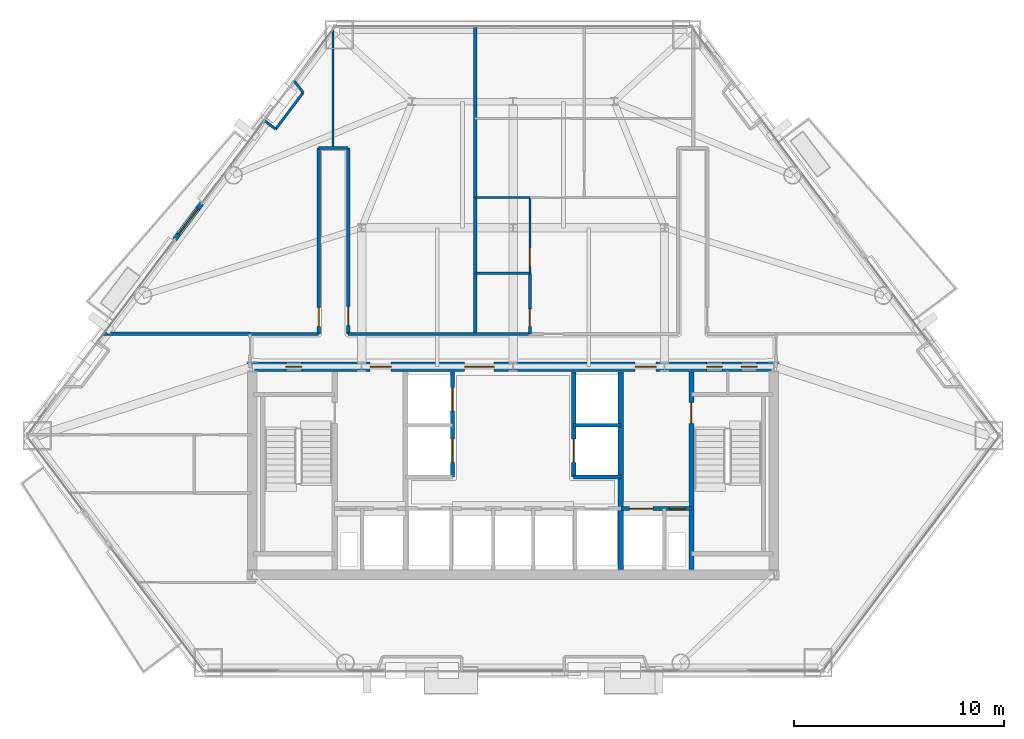
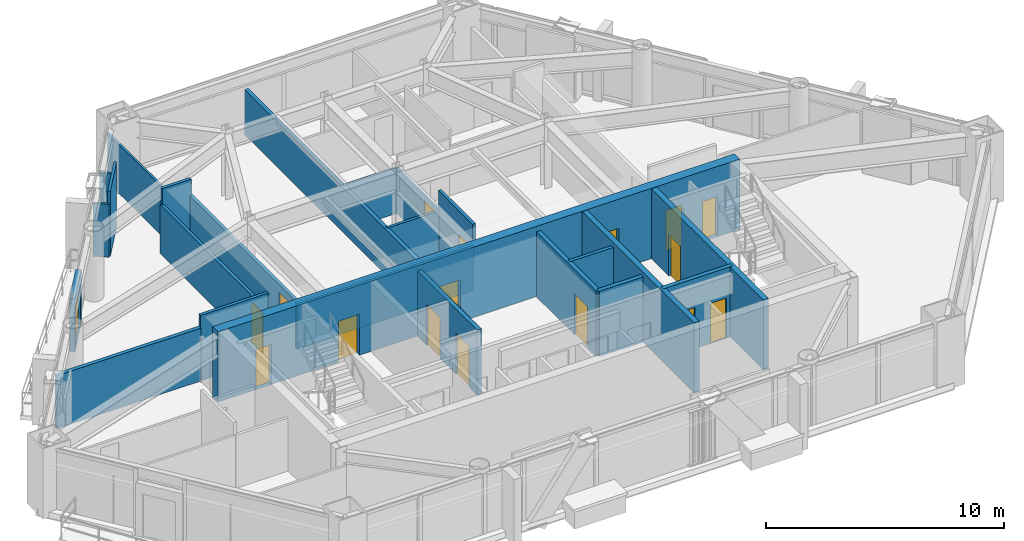
# One storey, part 7 of 10: 24 walls, 17 doors, 17 openings.
"""IFC4 building model written with IfcOpenShell, lengths in metres."""

from ifc_helpers import new_model, si_unit, direction, frame, frame_2d, origin, place, context, subcontext, project, spatial, rectangle, extrude, material, layer, layer_set, type_object, element, fill, save


model = new_model("IFC4")

# Units and contexts
model_context = context("Model", 3, precision=1e-05, world=origin(), true_north=direction((0.0, 1.0)))
body_context = subcontext(model_context, "Body", "Model", "MODEL_VIEW")
ifc_project = project(units=[si_unit("LENGTHUNIT", "METRE"), si_unit("AREAUNIT", "SQUARE_METRE"), si_unit("VOLUMEUNIT", "CUBIC_METRE"), si_unit("PLANEANGLEUNIT", "RADIAN"), si_unit("MASSUNIT", "GRAM", prefix="KILO")], contexts=[model_context])

# Site, building, storey
site_placement = place(None, origin())
site = spatial("IfcSite", under=ifc_project, at=site_placement, CompositionType="ELEMENT")
building_placement = place(site_placement, origin())
building = spatial("IfcBuilding", under=site, at=building_placement, Name="Talgorran Terracotta Tower", CompositionType="ELEMENT")
storey_placement = place(building_placement, frame((0.0, 0.0, 31.5)))
storey = spatial("IfcBuildingStorey", under=building, at=storey_placement, Name="L07", CompositionType="ELEMENT", Elevation=31.5)

# Wall, opening, door
ifc_material_1 = material(Name="Concrete C40/50", Category="concrete")
ifc_layer_1 = layer(ifc_material_1, 0.239990234375, Name="WT_BALCONY_SPAND")
ifc_layer_set_1 = layer_set([ifc_layer_1], Name="Concrete C40/50")
wall_type_1 = type_object("IfcWallType", Name="WT_BALCONY_SPAND", PredefinedType="STANDARD", material=ifc_layer_set_1)
wall_1_placement = place(storey_placement, frame((-14.799560546875, 3.560791015625, -0.014892578125), z_axis=(0.0, 0.0, 1.0), x_axis=(-0.601823875366, -0.798628839349, 0.0)))
wall_1 = element("IfcWall", 1, at=wall_1_placement, inside=storey, type_object=wall_type_1, Name="WL-L07-BALP-BAL-NW", PredefinedType="STANDARD", context=body_context, shape_type="SweptSolid", body=[
    extrude(rectangle(XDim=2.139892578125, YDim=0.239990234375, at=frame_2d((1.06982421875, 0.0))), origin(), (0.0, 0.0, 1.0), 2.728271484375),
])
opening_1_placement = place(wall_1_placement, frame((0.320068359375, 0.0, 0.014892578125)))
opening_1 = element("IfcOpeningElement", 2, at=opening_1_placement, cuts=wall_1, Name="Opening D-BAL-L07-2", PredefinedType="OPENING", context=body_context, shape_type="SweptSolid", body=[
    extrude(rectangle(XDim=1.506, YDim=2.203951171875, at=frame_2d((0.75, 1.10205078125))), frame((0.0, 0.1298828125, 0.0), z_axis=(0.0, -1.0, 0.0), x_axis=(1.0, 0.0, 0.0)), (0.0, 0.0, 1.0), 0.260009765625),
])
ifc_material_2 = material(Name="Thermally Broken Aluminium", Category="aluminium")
door_type_1 = type_object("IfcDoorType", Name="DT_BALC_1500", OperationType="SLIDING_TO_RIGHT", PredefinedType="DOOR", material=ifc_material_2)
door_1_placement = place(opening_1_placement, origin())
door_1 = element("IfcDoor", 3, at=door_1_placement, inside=storey, type_object=door_type_1, Name="DR-L07-BAL-BAL-NW", OperationType="SLIDING_TO_RIGHT", OverallHeight=2.199951171875, OverallWidth=1.5, PredefinedType="DOOR", context=body_context, shape_type="SweptSolid", body=[
    extrude(rectangle(XDim=1.5, YDim=2.199951171875, at=frame_2d((0.75, 1.10009765625))), frame((0.0, 0.02490234375, 0.0), z_axis=(0.0, -1.0, 0.0), x_axis=(1.0, 0.0, 0.0)), (0.0, 0.0, 1.0), 0.050048828125),
])
fill(opening_1, door_1)

# Wall, openings, doors
ifc_material_3 = material(Name="Concrete C50/60", Category="concrete")
ifc_layer_2 = layer(ifc_material_3, 0.199951171875, Name="WT_CORE_200")
ifc_layer_set_2 = layer_set([ifc_layer_2], Name="Concrete C50/60")
wall_type_2 = type_object("IfcWallType", Name="WT_CORE_200", PredefinedType="SOLIDWALL", material=ifc_layer_set_2)
wall_2_placement = place(storey_placement, frame((5.1201171875, -10.949951171875, 0.0), z_axis=(0.0, 0.0, 1.0), x_axis=(1.0, 0.0, 0.0)))
wall_2 = element("IfcWall", 4, at=wall_2_placement, inside=storey, type_object=wall_type_2, Name="WL-L07-CW-H-SBE", PredefinedType="SOLIDWALL", context=body_context, shape_type="SweptSolid", body=[
    extrude(rectangle(XDim=3.35986328125, YDim=0.199951171875, at=frame_2d((1.679931640625, 0.0))), origin(), (0.0, 0.0, 1.0), 3.60009765625),
])
opening_2_placement = place(wall_2_placement, frame((0.419921875, 0.0, 0.0)))
opening_2 = element("IfcOpeningElement", 5, at=opening_2_placement, cuts=wall_2, Name="Opening LD-FFL2", PredefinedType="OPENING", context=body_context, shape_type="SweptSolid", body=[
    extrude(rectangle(XDim=1.10609765625, YDim=2.10409765625, at=frame_2d((0.550048828125, 1.052001953125))), frame((0.0, 0.10986328125, 0.0), z_axis=(0.0, -1.0, 0.0), x_axis=(1.0, 0.0, 0.0)), (0.0, 0.0, 1.0), 0.219970703125),
])
opening_3_placement = place(wall_2_placement, frame((2.300048828125, 0.0, 0.0)))
opening_3 = element("IfcOpeningElement", 6, at=opening_3_placement, cuts=wall_2, Name="Opening DR-RSE", PredefinedType="OPENING", context=body_context, shape_type="SweptSolid", body=[
    extrude(rectangle(XDim=0.756, YDim=2.054048828125, at=frame_2d((0.375, 1.027099609375))), frame((0.0, 0.10986328125, 0.0), z_axis=(0.0, -1.0, 0.0), x_axis=(1.0, 0.0, 0.0)), (0.0, 0.0, 1.0), 0.219970703125),
])
ifc_material_4 = material(Name="Brushed Stainless Steel Grade 304", Category="steel")
door_type_2 = type_object("IfcDoorType", Name="DT_LIFT_LD1100", OperationType="DOUBLE_DOOR_SLIDING", PredefinedType="DOOR", material=ifc_material_4)
door_2_placement = place(opening_2_placement, origin())
door_2 = element("IfcDoor", 7, at=door_2_placement, inside=storey, type_object=door_type_2, Name="L07 Lift Landing Door LD-FFL2", OperationType="DOUBLE_DOOR_SLIDING", OverallHeight=2.10009765625, OverallWidth=1.10009765625, PredefinedType="DOOR", context=body_context, shape_type="SweptSolid", body=[
    extrude(rectangle(XDim=1.10009765625, YDim=2.10009765625, at=frame_2d((0.550048828125, 1.050048828125))), frame((0.0, 0.02490234375, 0.0), z_axis=(0.0, -1.0, 0.0), x_axis=(1.0, 0.0, 0.0)), (0.0, 0.0, 1.0), 0.050048828125),
])
fill(opening_2, door_2)
ifc_material_5 = material(Name="Fire-Rated Pressed Steel", Category="steel")
door_type_3 = type_object("IfcDoorType", Name="DT_RISER_750", OperationType="NOTDEFINED", PredefinedType="DOOR", material=ifc_material_5)
door_3_placement = place(opening_3_placement, origin())
door_3 = element("IfcDoor", 8, at=door_3_placement, inside=storey, type_object=door_type_3, Name="DR-RSE", OperationType="SINGLE_SWING_RIGHT", OverallHeight=2.050048828125, OverallWidth=0.75, PredefinedType="DOOR", context=body_context, shape_type="SweptSolid", body=[
    extrude(rectangle(XDim=0.75, YDim=2.050048828125, at=frame_2d((0.375, 1.02490234375))), frame((0.0, 0.02490234375, 0.0), z_axis=(0.0, -1.0, 0.0), x_axis=(1.0, 0.0, 0.0)), (0.0, 0.0, 1.0), 0.050048828125),
])
fill(opening_3, door_3)

wall_3_placement = place(storey_placement, frame((-2.8798828125, -9.449951171875, 0.0), z_axis=(0.0, 0.0, 1.0), x_axis=(0.0, 1.0, 0.0)))
wall_3 = element("IfcWall", 9, at=wall_3_placement, inside=storey, type_object=wall_type_2, Name="WL-L07-CW-V-W3", PredefinedType="SOLIDWALL", context=body_context, shape_type="SweptSolid", body=[
    extrude(rectangle(XDim=5.0, YDim=0.199951171875, at=frame_2d((2.5, 0.0))), origin(), (0.0, 0.0, 1.0), 3.35009765625),
])
opening_4_placement = place(wall_3_placement, frame((0.699951171875, 0.0, 0.0)))
opening_4 = element("IfcOpeningElement", 10, at=opening_4_placement, cuts=wall_3, Name="Opening LD-PLL1", PredefinedType="OPENING", context=body_context, shape_type="SweptSolid", body=[
    extrude(rectangle(XDim=1.10609765625, YDim=2.10409765625, at=frame_2d((0.550048828125, 1.052001953125))), frame((0.0, 0.10986328125, 0.0), z_axis=(0.0, -1.0, 0.0), x_axis=(1.0, 0.0, 0.0)), (0.0, 0.0, 1.0), 0.219970703125),
])
opening_5_placement = place(wall_3_placement, frame((3.14990234375, 0.0, 0.0)))
opening_5 = element("IfcOpeningElement", 11, at=opening_5_placement, cuts=wall_3, Name="Opening LD-PLL2", PredefinedType="OPENING", context=body_context, shape_type="SweptSolid", body=[
    extrude(rectangle(XDim=1.10609765625, YDim=2.10409765625, at=frame_2d((0.550048828125, 1.052001953125))), frame((0.0, 0.10986328125, 0.0), z_axis=(0.0, -1.0, 0.0), x_axis=(1.0, 0.0, 0.0)), (0.0, 0.0, 1.0), 0.219970703125),
])
door_4_placement = place(opening_4_placement, origin())
door_4 = element("IfcDoor", 12, at=door_4_placement, inside=storey, type_object=door_type_2, Name="L07 Lift Landing Door LD-PLL1", OperationType="DOUBLE_DOOR_SLIDING", OverallHeight=2.10009765625, OverallWidth=1.10009765625, PredefinedType="DOOR", context=body_context, shape_type="SweptSolid", body=[
    extrude(rectangle(XDim=1.10009765625, YDim=2.10009765625, at=frame_2d((0.550048828125, 1.050048828125))), frame((0.0, 0.02490234375, 0.0), z_axis=(0.0, -1.0, 0.0), x_axis=(1.0, 0.0, 0.0)), (0.0, 0.0, 1.0), 0.050048828125),
])
fill(opening_4, door_4)
door_5_placement = place(opening_5_placement, origin())
door_5 = element("IfcDoor", 13, at=door_5_placement, inside=storey, type_object=door_type_2, Name="L07 Lift Landing Door LD-PLL2", OperationType="DOUBLE_DOOR_SLIDING", OverallHeight=2.10009765625, OverallWidth=1.10009765625, PredefinedType="DOOR", context=body_context, shape_type="SweptSolid", body=[
    extrude(rectangle(XDim=1.10009765625, YDim=2.10009765625, at=frame_2d((0.550048828125, 1.050048828125))), frame((0.0, 0.02490234375, 0.0), z_axis=(0.0, -1.0, 0.0), x_axis=(1.0, 0.0, 0.0)), (0.0, 0.0, 1.0), 0.050048828125),
])
fill(opening_5, door_5)

# Wall, opening, door
wall_4_placement = place(storey_placement, frame((2.8798828125, -9.449951171875, 0.0), z_axis=(0.0, 0.0, 1.0), x_axis=(0.0, 1.0, 0.0)))
wall_4 = element("IfcWall", 14, at=wall_4_placement, inside=storey, type_object=wall_type_2, Name="WL-L07-CW-V-E3", PredefinedType="SOLIDWALL", context=body_context, shape_type="SweptSolid", body=[
    extrude(rectangle(XDim=5.0, YDim=0.199951171875, at=frame_2d((2.5, 0.0))), origin(), (0.0, 0.0, 1.0), 3.35009765625),
])
opening_6_placement = place(wall_4_placement, frame((0.699951171875, 0.0, 0.0)))
opening_6 = element("IfcOpeningElement", 15, at=opening_6_placement, cuts=wall_4, Name="Opening LD-PLM1", PredefinedType="OPENING", context=body_context, shape_type="SweptSolid", body=[
    extrude(rectangle(XDim=1.10609765625, YDim=2.10409765625, at=frame_2d((0.550048828125, 1.052001953125))), frame((0.0, 0.10986328125, 0.0), z_axis=(0.0, -1.0, 0.0), x_axis=(1.0, 0.0, 0.0)), (0.0, 0.0, 1.0), 0.219970703125),
])
door_6_placement = place(opening_6_placement, origin())
door_6 = element("IfcDoor", 16, at=door_6_placement, inside=storey, type_object=door_type_2, Name="L07 Lift Landing Door LD-PLM1", OperationType="DOUBLE_DOOR_SLIDING", OverallHeight=2.10009765625, OverallWidth=1.10009765625, PredefinedType="DOOR", context=body_context, shape_type="SweptSolid", body=[
    extrude(rectangle(XDim=1.10009765625, YDim=2.10009765625, at=frame_2d((0.550048828125, 1.050048828125))), frame((0.0, 0.02490234375, 0.0), z_axis=(0.0, -1.0, 0.0), x_axis=(1.0, 0.0, 0.0)), (0.0, 0.0, 1.0), 0.050048828125),
])
fill(opening_6, door_6)

# Wall
wall_5_placement = place(storey_placement, frame((2.8798828125, -9.449951171875, 0.0), z_axis=(0.0, 0.0, 1.0), x_axis=(1.0, 0.0, 0.0)))
element("IfcWall", 17, at=wall_5_placement, inside=storey, type_object=wall_type_2, Name="WL-L07-CW-H-E4", PredefinedType="SOLIDWALL", context=body_context, shape_type="SweptSolid", body=[
    extrude(rectangle(XDim=2.240234375, YDim=0.199951171875, at=frame_2d((1.1201171875, 0.0))), origin(), (0.0, 0.0, 1.0), 3.35009765625),
])

# Wall, opening, door
ifc_layer_3 = layer(ifc_material_3, 0.25, Name="WT_CORE_250")
ifc_layer_set_3 = layer_set([ifc_layer_3], Name="Concrete C50/60")
wall_type_3 = type_object("IfcWallType", Name="WT_CORE_250", PredefinedType="SHEAR", material=ifc_layer_set_3)
wall_6_placement = place(storey_placement, frame((8.47998046875, -13.85009765625, 0.0), z_axis=(0.0, 0.0, 1.0), x_axis=(0.0, 1.0, 0.0)))
wall_6 = element("IfcWall", 18, at=wall_6_placement, inside=storey, type_object=wall_type_3, Name="WL-L07-CW-V-E1", PredefinedType="SHEAR", context=body_context, shape_type="SweptSolid", body=[
    extrude(rectangle(XDim=9.400146484375, YDim=0.25, at=frame_2d((4.7001953125, 0.0))), origin(), (0.0, 0.0, 1.0), 3.60009765625),
])
opening_7_placement = place(wall_6_placement, frame((6.949951171875, 0.0, 0.0)))
opening_7 = element("IfcOpeningElement", 19, at=opening_7_placement, cuts=wall_6, Name="Opening DR-ST02", PredefinedType="OPENING", context=body_context, shape_type="SweptSolid", body=[
    extrude(rectangle(XDim=1.006, YDim=2.10409765625, at=frame_2d((0.5, 1.052001953125))), frame((0.0, 0.135009765625, 0.0), z_axis=(0.0, -1.0, 0.0), x_axis=(1.0, 0.0, 0.0)), (0.0, 0.0, 1.0), 0.27001953125),
])
door_type_4 = type_object("IfcDoorType", Name="DT_FIRE_1000", OperationType="NOTDEFINED", PredefinedType="DOOR", material=ifc_material_5)
door_7_placement = place(opening_7_placement, origin())
door_7 = element("IfcDoor", 20, at=door_7_placement, inside=storey, type_object=door_type_4, Name="DR-ST02", OperationType="SINGLE_SWING_RIGHT", OverallHeight=2.10009765625, OverallWidth=1.0, PredefinedType="DOOR", context=body_context, shape_type="SweptSolid", body=[
    extrude(rectangle(XDim=1.0, YDim=2.10009765625, at=frame_2d((0.5, 1.050048828125))), frame((0.0, 0.02490234375, 0.0), z_axis=(0.0, -1.0, 0.0), x_axis=(1.0, 0.0, 0.0)), (0.0, 0.0, 1.0), 0.050048828125),
])
fill(opening_7, door_7)

# Wall
wall_7_placement = place(storey_placement, frame((5.1201171875, -13.85009765625, 0.0), z_axis=(0.0, 0.0, 1.0), x_axis=(0.0, 1.0, 0.0)))
element("IfcWall", 21, at=wall_7_placement, inside=storey, type_object=wall_type_3, Name="WL-L07-CW-V-E2", PredefinedType="SHEAR", context=body_context, shape_type="SweptSolid", body=[
    extrude(rectangle(XDim=9.400146484375, YDim=0.25, at=frame_2d((4.7001953125, 0.0))), origin(), (0.0, 0.0, 1.0), 3.60009765625),
])

# Wall, openings, doors
ifc_material_6 = material(Name="Concrete C65/80", Category="concrete")
ifc_layer_4 = layer(ifc_material_6, 0.449951171875, Name="WT_CORE_EXT")
ifc_layer_set_4 = layer_set([ifc_layer_4], Name="Concrete C65/80")
wall_type_4 = type_object("IfcWallType", Name="WT_CORE_EXT", PredefinedType="SHEAR", material=ifc_layer_set_4)
wall_8_placement = place(storey_placement, frame((-12.64990234375, -4.199951171875, 0.0), z_axis=(0.0, 0.0, 1.0), x_axis=(1.0, 0.0, 0.0)))
wall_8 = element("IfcWall", 22, at=wall_8_placement, inside=storey, type_object=wall_type_4, Name="WL-L07-CW-OUT-N", PredefinedType="SHEAR", context=body_context, shape_type="SweptSolid", body=[
    extrude(rectangle(XDim=25.2998046875, YDim=0.449951171875, at=frame_2d((12.64990234375, 0.0))), origin(), (0.0, 0.0, 1.0), 3.60009765625),
])
opening_8_placement = place(wall_8_placement, frame((1.85009765625, 0.0, 0.0)))
opening_8 = element("IfcOpeningElement", 23, at=opening_8_placement, cuts=wall_8, Name="Opening DR-CSN1", PredefinedType="OPENING", context=body_context, shape_type="SweptSolid", body=[
    extrude(rectangle(XDim=0.756, YDim=2.054048828125, at=frame_2d((0.375, 1.027099609375))), frame((0.0, 0.23486328125, 0.0), z_axis=(0.0, -1.0, 0.0), x_axis=(1.0, 0.0, 0.0)), (0.0, 0.0, 1.0), 0.469970703125),
])
opening_9_placement = place(wall_8_placement, frame((21.85009765625, 0.0, 0.0)))
opening_9 = element("IfcOpeningElement", 24, at=opening_9_placement, cuts=wall_8, Name="Opening DR-CSN2", PredefinedType="OPENING", context=body_context, shape_type="SweptSolid", body=[
    extrude(rectangle(XDim=0.756, YDim=2.054048828125, at=frame_2d((0.375, 1.027099609375))), frame((0.0, 0.23486328125, 0.0), z_axis=(0.0, -1.0, 0.0), x_axis=(1.0, 0.0, 0.0)), (0.0, 0.0, 1.0), 0.469970703125),
])
opening_10_placement = place(wall_8_placement, frame((23.5, 0.0, 0.0)))
opening_10 = element("IfcOpeningElement", 25, at=opening_10_placement, cuts=wall_8, Name="Opening DR-CSN3", PredefinedType="OPENING", context=body_context, shape_type="SweptSolid", body=[
    extrude(rectangle(XDim=0.756, YDim=2.054048828125, at=frame_2d((0.375, 1.027099609375))), frame((0.0, 0.23486328125, 0.0), z_axis=(0.0, -1.0, 0.0), x_axis=(1.0, 0.0, 0.0)), (0.0, 0.0, 1.0), 0.469970703125),
])
opening_11_placement = place(wall_8_placement, frame((5.85009765625, 0.0, 0.0)))
opening_11 = element("IfcOpeningElement", 26, at=opening_11_placement, cuts=wall_8, Name="Opening DR-FFLW-N", PredefinedType="OPENING", context=body_context, shape_type="SweptSolid", body=[
    extrude(rectangle(XDim=1.006, YDim=2.10409765625, at=frame_2d((0.5, 1.052001953125))), frame((0.0, 0.23486328125, 0.0), z_axis=(0.0, -1.0, 0.0), x_axis=(1.0, 0.0, 0.0)), (0.0, 0.0, 1.0), 0.469970703125),
])
opening_12_placement = place(wall_8_placement, frame((10.35009765625, 0.0, 0.0)))
opening_12 = element("IfcOpeningElement", 27, at=opening_12_placement, cuts=wall_8, Name="Opening DR-PLL-N", PredefinedType="OPENING", context=body_context, shape_type="SweptSolid", body=[
    extrude(rectangle(XDim=1.40590234375, YDim=2.15390234375, at=frame_2d((0.699951171875, 1.076904296875))), frame((0.0, 0.23486328125, 0.0), z_axis=(0.0, -1.0, 0.0), x_axis=(1.0, 0.0, 0.0)), (0.0, 0.0, 1.0), 0.469970703125),
])
opening_13_placement = place(wall_8_placement, frame((18.449951171875, 0.0, 0.0)))
opening_13 = element("IfcOpeningElement", 28, at=opening_13_placement, cuts=wall_8, Name="Opening DR-FFLE-N", PredefinedType="OPENING", context=body_context, shape_type="SweptSolid", body=[
    extrude(rectangle(XDim=1.006, YDim=2.10409765625, at=frame_2d((0.5, 1.052001953125))), frame((0.0, 0.23486328125, 0.0), z_axis=(0.0, -1.0, 0.0), x_axis=(1.0, 0.0, 0.0)), (0.0, 0.0, 1.0), 0.469970703125),
])
ifc_material_7 = material(Name="Acoustic Glazed Timber", Category="wood")
door_type_5 = type_object("IfcDoorType", Name="DT_DOUBLE_1400", OperationType="DOUBLE_DOOR_SINGLE_SWING", PredefinedType="DOOR", material=ifc_material_7)
door_8_placement = place(opening_12_placement, origin())
door_8 = element("IfcDoor", 29, at=door_8_placement, inside=storey, type_object=door_type_5, Name="DR-PLL-N", OperationType="DOUBLE_DOOR_SINGLE_SWING", OverallHeight=2.14990234375, OverallWidth=1.39990234375, PredefinedType="DOOR", context=body_context, shape_type="SweptSolid", body=[
    extrude(rectangle(XDim=1.39990234375, YDim=2.14990234375, at=frame_2d((0.699951171875, 1.074951171875))), frame((0.0, 0.02490234375, 0.0), z_axis=(0.0, -1.0, 0.0), x_axis=(1.0, 0.0, 0.0)), (0.0, 0.0, 1.0), 0.050048828125),
])
fill(opening_12, door_8)
door_9_placement = place(opening_11_placement, origin())
door_9 = element("IfcDoor", 30, at=door_9_placement, inside=storey, type_object=door_type_4, Name="DR-FFLW-N", OperationType="SINGLE_SWING_LEFT", OverallHeight=2.10009765625, OverallWidth=1.0, PredefinedType="DOOR", context=body_context, shape_type="SweptSolid", body=[
    extrude(rectangle(XDim=1.0, YDim=2.10009765625, at=frame_2d((0.5, 1.050048828125))), frame((0.0, 0.02490234375, 0.0), z_axis=(0.0, -1.0, 0.0), x_axis=(1.0, 0.0, 0.0)), (0.0, 0.0, 1.0), 0.050048828125),
])
fill(opening_11, door_9)
door_10_placement = place(opening_13_placement, origin())
door_10 = element("IfcDoor", 31, at=door_10_placement, inside=storey, type_object=door_type_4, Name="DR-FFLE-N", OperationType="SINGLE_SWING_RIGHT", OverallHeight=2.10009765625, OverallWidth=1.0, PredefinedType="DOOR", context=body_context, shape_type="SweptSolid", body=[
    extrude(rectangle(XDim=1.0, YDim=2.10009765625, at=frame_2d((0.5, 1.050048828125))), frame((0.0, 0.02490234375, 0.0), z_axis=(0.0, -1.0, 0.0), x_axis=(1.0, 0.0, 0.0)), (0.0, 0.0, 1.0), 0.050048828125),
])
fill(opening_13, door_10)
door_11_placement = place(opening_8_placement, origin())
door_11 = element("IfcDoor", 32, at=door_11_placement, inside=storey, type_object=door_type_3, Name="DR-CSN1", OperationType="SINGLE_SWING_LEFT", OverallHeight=2.050048828125, OverallWidth=0.75, PredefinedType="DOOR", context=body_context, shape_type="SweptSolid", body=[
    extrude(rectangle(XDim=0.75, YDim=2.050048828125, at=frame_2d((0.375, 1.02490234375))), frame((0.0, 0.02490234375, 0.0), z_axis=(0.0, -1.0, 0.0), x_axis=(1.0, 0.0, 0.0)), (0.0, 0.0, 1.0), 0.050048828125),
])
fill(opening_8, door_11)
door_12_placement = place(opening_9_placement, origin())
door_12 = element("IfcDoor", 33, at=door_12_placement, inside=storey, type_object=door_type_3, Name="DR-CSN2", OperationType="SINGLE_SWING_LEFT", OverallHeight=2.050048828125, OverallWidth=0.75, PredefinedType="DOOR", context=body_context, shape_type="SweptSolid", body=[
    extrude(rectangle(XDim=0.75, YDim=2.050048828125, at=frame_2d((0.375, 1.02490234375))), frame((0.0, 0.02490234375, 0.0), z_axis=(0.0, -1.0, 0.0), x_axis=(1.0, 0.0, 0.0)), (0.0, 0.0, 1.0), 0.050048828125),
])
fill(opening_9, door_12)
door_13_placement = place(opening_10_placement, origin())
door_13 = element("IfcDoor", 34, at=door_13_placement, inside=storey, type_object=door_type_3, Name="DR-CSN3", OperationType="SINGLE_SWING_RIGHT", OverallHeight=2.050048828125, OverallWidth=0.75, PredefinedType="DOOR", context=body_context, shape_type="SweptSolid", body=[
    extrude(rectangle(XDim=0.75, YDim=2.050048828125, at=frame_2d((0.375, 1.02490234375))), frame((0.0, 0.02490234375, 0.0), z_axis=(0.0, -1.0, 0.0), x_axis=(1.0, 0.0, 0.0)), (0.0, 0.0, 1.0), 0.050048828125),
])
fill(opening_10, door_13)

# Wall, opening, door
ifc_material_8 = material(Name="Fire-Rated Steel Stud Plasterboard", Category="steel")
ifc_layer_5 = layer(ifc_material_8, 0.14990234375, Name="WT_FIRE_150")
ifc_layer_set_5 = layer_set([ifc_layer_5], Name="Fire-Rated Steel Stud Plasterboard")
wall_type_5 = type_object("IfcWallType", Name="WT_FIRE_150", PredefinedType="PARTITIONING", material=ifc_layer_set_5)
wall_9_placement = place(storey_placement, frame((-9.239990234375, -2.639892578125, 0.0), z_axis=(0.0, 0.0, 1.0), x_axis=(0.0, 1.0, 0.0)))
wall_9 = element("IfcWall", 35, at=wall_9_placement, inside=storey, type_object=wall_type_5, Name="WL-L07-W-L07-R04", PredefinedType="PARTITIONING", context=body_context, shape_type="SweptSolid", body=[
    extrude(rectangle(XDim=8.83984375, YDim=0.14990234375, at=frame_2d((4.419921875, 0.0))), origin(), (0.0, 0.0, 1.0), 2.509033203125),
])
opening_14_placement = place(wall_9_placement, frame((0.359375, 0.0, 0.0)))
opening_14 = element("IfcOpeningElement", 36, at=opening_14_placement, cuts=wall_9, Name="Opening DR-L07-R06", PredefinedType="OPENING", context=body_context, shape_type="SweptSolid", body=[
    extrude(rectangle(XDim=0.90590234375, YDim=2.10409765625, at=frame_2d((0.449951171875, 1.052001953125))), frame((0.0, 0.0849609375, 0.0), z_axis=(0.0, -1.0, 0.0), x_axis=(1.0, 0.0, 0.0)), (0.0, 0.0, 1.0), 0.169921875),
])
ifc_material_9 = material(Name="Fire-Rated Timber Core", Category="wood")
door_type_6 = type_object("IfcDoorType", Name="DT_FIRE_900", OperationType="NOTDEFINED", PredefinedType="DOOR", material=ifc_material_9)
door_14_placement = place(opening_14_placement, origin())
door_14 = element("IfcDoor", 37, at=door_14_placement, inside=storey, type_object=door_type_6, Name="DR-L07-R06", OperationType="SINGLE_SWING_RIGHT", OverallHeight=2.10009765625, OverallWidth=0.89990234375, PredefinedType="DOOR", context=body_context, shape_type="SweptSolid", body=[
    extrude(rectangle(XDim=0.89990234375, YDim=2.10009765625, at=frame_2d((0.449951171875, 1.050048828125))), frame((0.0, 0.02490234375, 0.0), z_axis=(0.0, -1.0, 0.0), x_axis=(1.0, 0.0, 0.0)), (0.0, 0.0, 1.0), 0.050048828125),
])
fill(opening_14, door_14)

wall_10_placement = place(storey_placement, frame((-7.840087890625, -2.639892578125, 0.0), z_axis=(0.0, 0.0, 1.0), x_axis=(0.0, 1.0, 0.0)))
wall_10 = element("IfcWall", 38, at=wall_10_placement, inside=storey, type_object=wall_type_5, Name="WL-L07-W-L07-R07", PredefinedType="PARTITIONING", context=body_context, shape_type="SweptSolid", body=[
    extrude(rectangle(XDim=8.83984375, YDim=0.14990234375, at=frame_2d((4.419921875, 0.0))), origin(), (0.0, 0.0, 1.0), 2.509033203125),
])
opening_15_placement = place(wall_10_placement, frame((0.3994140625, 0.0, 0.0)))
opening_15 = element("IfcOpeningElement", 39, at=opening_15_placement, cuts=wall_10, Name="Opening DR-L07-R07", PredefinedType="OPENING", context=body_context, shape_type="SweptSolid", body=[
    extrude(rectangle(XDim=0.90590234375, YDim=2.10409765625, at=frame_2d((0.449951171875, 1.052001953125))), frame((0.0, 0.0849609375, 0.0), z_axis=(0.0, -1.0, 0.0), x_axis=(1.0, 0.0, 0.0)), (0.0, 0.0, 1.0), 0.169921875),
])
door_15_placement = place(opening_15_placement, origin())
door_15 = element("IfcDoor", 40, at=door_15_placement, inside=storey, type_object=door_type_6, Name="DR-L07-R07", OperationType="SINGLE_SWING_LEFT", OverallHeight=2.10009765625, OverallWidth=0.89990234375, PredefinedType="DOOR", context=body_context, shape_type="SweptSolid", body=[
    extrude(rectangle(XDim=0.89990234375, YDim=2.10009765625, at=frame_2d((0.449951171875, 1.050048828125))), frame((0.0, 0.02490234375, 0.0), z_axis=(0.0, -1.0, 0.0), x_axis=(1.0, 0.0, 0.0)), (0.0, 0.0, 1.0), 0.050048828125),
])
fill(opening_15, door_15)

# Walls
wall_11_placement = place(storey_placement, frame((-7.840087890625, -2.639892578125, 0.0), z_axis=(0.0, 0.0, 1.0), x_axis=(1.0, 0.0, 0.0)))
element("IfcWall", 41, at=wall_11_placement, inside=storey, type_object=wall_type_5, Name="WL-L07-W-L07-R08", PredefinedType="PARTITIONING", context=body_context, shape_type="SweptSolid", body=[
    extrude(rectangle(XDim=8.578125, YDim=0.14990234375, at=frame_2d((4.2890625, 0.0))), origin(), (0.0, 0.0, 1.0), 2.324951171875),
])
wall_12_placement = place(storey_placement, frame((-12.5, -2.639892578125, 0.0), z_axis=(0.0, 0.0, 1.0), x_axis=(1.0, 0.0, 0.0)))
element("IfcWall", 42, at=wall_12_placement, inside=storey, type_object=wall_type_5, Name="WL-L07-W-L07-R03", PredefinedType="PARTITIONING", context=body_context, shape_type="SweptSolid", body=[
    extrude(rectangle(XDim=3.260009765625, YDim=0.14990234375, at=frame_2d((1.6298828125, 0.0))), origin(), (0.0, 0.0, 1.0), 3.35009765625),
])
wall_13_placement = place(storey_placement, frame((-9.239990234375, 6.199951171875, 0.0), z_axis=(0.0, 0.0, 1.0), x_axis=(1.0, 0.0, 0.0)))
element("IfcWall", 43, at=wall_13_placement, inside=storey, type_object=wall_type_5, Name="WL-L07-W-L07-R06", PredefinedType="PARTITIONING", context=body_context, shape_type="SweptSolid", body=[
    extrude(rectangle(XDim=1.39990234375, YDim=0.14990234375, at=frame_2d((0.699951171875, 0.0))), origin(), (0.0, 0.0, 1.0), 3.35009765625),
])
ifc_material_10 = material(Name="Acoustic Stud and Plasterboard")
ifc_layer_6 = layer(ifc_material_10, 0.179931640625, Name="WT_PARTY_200")
ifc_layer_set_6 = layer_set([ifc_layer_6], Name="Acoustic Stud and Plasterboard")
wall_type_6 = type_object("IfcWallType", Name="WT_PARTY_200", PredefinedType="PARTITIONING", material=ifc_layer_set_6)
wall_14_placement = place(storey_placement, frame((-19.472412109375, -2.639892578125, 0.0), z_axis=(0.0, 0.0, 1.0), x_axis=(1.0, 0.0, 0.0)))
element("IfcWall", 44, at=wall_14_placement, inside=storey, type_object=wall_type_6, Name="WL-L07-W-L07-R19", PredefinedType="PARTITIONING", context=body_context, shape_type="SweptSolid", body=[
    extrude(rectangle(XDim=6.972412109375, YDim=0.179931640625, at=frame_2d((3.486328125, 0.0))), origin(), (0.0, 0.0, 1.0), 2.71337890625),
])
wall_15_placement = place(storey_placement, frame((-1.800048828125, -2.639892578125, 0.0), z_axis=(0.0, 0.0, 1.0), x_axis=(0.0, 1.0, 0.0)))
element("IfcWall", 45, at=wall_15_placement, inside=storey, type_object=wall_type_6, Name="WL-L07-W-L07-R29", PredefinedType="PARTITIONING", context=body_context, shape_type="SweptSolid", body=[
    extrude(rectangle(XDim=14.6103515625, YDim=0.179931640625, at=frame_2d((7.30517578125, 0.0))), origin(), (0.0, 0.0, 1.0), 2.324951171875),
])
ifc_material_11 = material(Name="Lightweight Steel Stud Partition", Category="steel")
ifc_layer_7 = layer(ifc_material_11, 0.10498046875, Name="WT_PART_110")
ifc_layer_set_7 = layer_set([ifc_layer_7], Name="Lightweight Steel Stud Partition")
wall_type_7 = type_object("IfcWallType", Name="WT_PART_110", PredefinedType="PARTITIONING", material=ifc_layer_set_7)
wall_16_placement = place(storey_placement, frame((-8.56005859375, 6.199951171875, 0.0), z_axis=(0.0, 0.0, 1.0), x_axis=(0.0, 1.0, 0.0)))
element("IfcWall", 46, at=wall_16_placement, inside=storey, type_object=wall_type_7, Name="WL-L07-W-L07-R25", PredefinedType="PARTITIONING", context=body_context, shape_type="SweptSolid", body=[
    extrude(rectangle(XDim=5.64111328125, YDim=0.10498046875, at=frame_2d((2.820556640625, 0.0))), origin(), (0.0, 0.0, 1.0), 2.509033203125),
])

# Wall, opening, door
wall_17_placement = place(storey_placement, frame((0.800048828125, 0.239990234375, 0.0), z_axis=(0.0, 0.0, 1.0), x_axis=(0.0, 1.0, 0.0)))
wall_17 = element("IfcWall", 47, at=wall_17_placement, inside=storey, type_object=wall_type_7, Name="WL-L07-W-L07-R32", PredefinedType="PARTITIONING", context=body_context, shape_type="SweptSolid", body=[
    extrude(rectangle(XDim=3.60009765625, YDim=0.10498046875, at=frame_2d((1.800048828125, 0.0))), origin(), (0.0, 0.0, 1.0), 2.324951171875),
])
opening_16_placement = place(wall_17_placement, frame((0.320068359375, 0.0, 0.0)))
opening_16 = element("IfcOpeningElement", 48, at=opening_16_placement, cuts=wall_17, Name="Opening DR-L07-R09", PredefinedType="OPENING", context=body_context, shape_type="SweptSolid", body=[
    extrude(rectangle(XDim=0.8858828125, YDim=2.10409765625, at=frame_2d((0.43994140625, 1.052001953125))), frame((0.0, 0.0625, 0.0), z_axis=(0.0, -1.0, 0.0), x_axis=(1.0, 0.0, 0.0)), (0.0, 0.0, 1.0), 0.125),
])
ifc_material_12 = material(Name="Solid-Core Painted Timber", Category="wood")
door_type_7 = type_object("IfcDoorType", Name="DT_INT_880", OperationType="NOTDEFINED", PredefinedType="DOOR", material=ifc_material_12)
door_16_placement = place(opening_16_placement, origin())
door_16 = element("IfcDoor", 49, at=door_16_placement, inside=storey, type_object=door_type_7, Name="DR-L07-R09", OperationType="SINGLE_SWING_LEFT", OverallHeight=2.10009765625, OverallWidth=0.8798828125, PredefinedType="DOOR", context=body_context, shape_type="SweptSolid", body=[
    extrude(rectangle(XDim=0.8798828125, YDim=2.10009765625, at=frame_2d((0.43994140625, 1.050048828125))), frame((0.0, 0.02490234375, 0.0), z_axis=(0.0, -1.0, 0.0), x_axis=(1.0, 0.0, 0.0)), (0.0, 0.0, 1.0), 0.050048828125),
])
fill(opening_16, door_16)

# Walls
wall_18_placement = place(storey_placement, frame((-1.800048828125, 3.840087890625, 0.0), z_axis=(0.0, 0.0, 1.0), x_axis=(1.0, 0.0, 0.0)))
element("IfcWall", 50, at=wall_18_placement, inside=storey, type_object=wall_type_7, Name="WL-L07-W-L07-R33", PredefinedType="PARTITIONING", context=body_context, shape_type="SweptSolid", body=[
    extrude(rectangle(XDim=2.60009765625, YDim=0.10498046875, at=frame_2d((1.300048828125, 0.0))), origin(), (0.0, 0.0, 1.0), 2.324951171875),
])
ifc_material_13 = material(Name="Insulated Steel Stud Plasterboard", Category="steel")
ifc_layer_8 = layer(ifc_material_13, 0.1201171875, Name="WT_PART_120")
ifc_layer_set_8 = layer_set([ifc_layer_8], Name="Insulated Steel Stud Plasterboard")
wall_type_8 = type_object("IfcWallType", Name="WT_PART_120", PredefinedType="PARTITIONING", material=ifc_layer_set_8)
wall_19_placement = place(storey_placement, frame((-9.9755859375, 8.83251953125, 0.0), z_axis=(0.0, 0.0, 1.0), x_axis=(-0.601826426809, -0.798626916648, 0.0)))
element("IfcWall", 51, at=wall_19_placement, inside=storey, type_object=wall_type_8, Name="WL-L07-BW-L07-14", PredefinedType="PARTITIONING", context=body_context, shape_type="SweptSolid", body=[
    extrude(rectangle(XDim=2.1796875, YDim=0.1201171875, at=frame_2d((1.08984375, 0.0))), origin(), (0.0, 0.0, 1.0), 3.35009765625),
])
wall_20_placement = place(storey_placement, frame((-10.404296875, 9.376953125, 0.0), z_axis=(0.0, 0.0, 1.0), x_axis=(0.618661415425, -0.785657720044, 0.0)))
element("IfcWall", 52, at=wall_20_placement, inside=storey, type_object=wall_type_8, Name="WL-L07-BW-L07-13", PredefinedType="PARTITIONING", context=body_context, shape_type="SweptSolid", body=[
    extrude(rectangle(XDim=0.69287109375, YDim=0.1201171875, at=frame_2d((0.346435546875, 0.0))), origin(), (0.0, 0.0, 1.0), 2.71337890625),
])
wall_21_placement = place(storey_placement, frame((-11.287353515625, 7.091796875, 0.0), z_axis=(0.0, 0.0, 1.0), x_axis=(-0.798773936271, 0.601631281379, 0.0)))
element("IfcWall", 53, at=wall_21_placement, inside=storey, type_object=wall_type_8, Name="WL-L07-BW-L07-15", PredefinedType="PARTITIONING", context=body_context, shape_type="SweptSolid", body=[
    extrude(rectangle(XDim=0.669921875, YDim=0.1201171875, at=frame_2d((0.3349609375, 0.0))), origin(), (0.0, 0.0, 1.0), 2.71337890625),
])

# Wall, opening, door
ifc_material_14 = material(Name="Moisture-Resistant Stud Wall")
ifc_layer_9 = layer(ifc_material_14, 0.135009765625, Name="WT_PART_135")
ifc_layer_set_9 = layer_set([ifc_layer_9], Name="Moisture-Resistant Stud Wall")
wall_type_9 = type_object("IfcWallType", Name="WT_PART_135", PredefinedType="PARTITIONING", material=ifc_layer_set_9)
wall_22_placement = place(storey_placement, frame((0.800048828125, -2.639892578125, 0.0), z_axis=(0.0, 0.0, 1.0), x_axis=(0.0, 1.0, 0.0)))
wall_22 = element("IfcWall", 54, at=wall_22_placement, inside=storey, type_object=wall_type_9, Name="WL-L07-W-L07-R31", PredefinedType="PARTITIONING", context=body_context, shape_type="SweptSolid", body=[
    extrude(rectangle(XDim=2.8798828125, YDim=0.135009765625, at=frame_2d((1.43994140625, 0.0))), origin(), (0.0, 0.0, 1.0), 3.35009765625),
])
opening_17_placement = place(wall_22_placement, frame((0.357421875, 0.0, 0.0)))
opening_17 = element("IfcOpeningElement", 55, at=opening_17_placement, cuts=wall_22, Name="Opening DR-L07-R08", PredefinedType="OPENING", context=body_context, shape_type="SweptSolid", body=[
    extrude(rectangle(XDim=0.826068359375, YDim=2.10409765625, at=frame_2d((0.41015625, 1.052001953125))), frame((0.0, 0.07763671875, 0.0), z_axis=(0.0, -1.0, 0.0), x_axis=(1.0, 0.0, 0.0)), (0.0, 0.0, 1.0), 0.155029296875),
])
ifc_material_15 = material(Name="Moisture-Resistant Solid Timber", Category="wood")
door_type_8 = type_object("IfcDoorType", Name="DT_INT_820", OperationType="NOTDEFINED", PredefinedType="DOOR", material=ifc_material_15)
door_17_placement = place(opening_17_placement, origin())
door_17 = element("IfcDoor", 56, at=door_17_placement, inside=storey, type_object=door_type_8, Name="DR-L07-R08", OperationType="SINGLE_SWING_RIGHT", OverallHeight=2.10009765625, OverallWidth=0.820068359375, PredefinedType="DOOR", context=body_context, shape_type="SweptSolid", body=[
    extrude(rectangle(XDim=0.820068359375, YDim=2.10009765625, at=frame_2d((0.41015625, 1.050048828125))), frame((0.0, 0.02490234375, 0.0), z_axis=(0.0, -1.0, 0.0), x_axis=(1.0, 0.0, 0.0)), (0.0, 0.0, 1.0), 0.050048828125),
])
fill(opening_17, door_17)

# Walls
wall_23_placement = place(storey_placement, frame((-1.800048828125, 0.239990234375, 0.0), z_axis=(0.0, 0.0, 1.0), x_axis=(1.0, 0.0, 0.0)))
element("IfcWall", 57, at=wall_23_placement, inside=storey, type_object=wall_type_9, Name="WL-L07-W-L07-R30", PredefinedType="PARTITIONING", context=body_context, shape_type="SweptSolid", body=[
    extrude(rectangle(XDim=2.60009765625, YDim=0.135009765625, at=frame_2d((1.300048828125, 0.0))), origin(), (0.0, 0.0, 1.0), 2.324951171875),
])
ifc_material_16 = material(Name="Fire-Rated Shaftwall")
ifc_layer_10 = layer(ifc_material_16, 0.159912109375, Name="WT_PART_150")
ifc_layer_set_10 = layer_set([ifc_layer_10], Name="Fire-Rated Shaftwall")
wall_type_10 = type_object("IfcWallType", Name="WT_PART_150", PredefinedType="PARTITIONING", material=ifc_layer_set_10)
wall_24_placement = place(storey_placement, frame((2.8798828125, -6.97998046875, 0.0), z_axis=(0.0, 0.0, 1.0), x_axis=(1.0, 0.0, 0.0)))
element("IfcWall", 58, at=wall_24_placement, inside=storey, type_object=wall_type_10, Name="WL-L07-CW-PLM-DIV", PredefinedType="PARTITIONING", context=body_context, shape_type="SweptSolid", body=[
    extrude(rectangle(XDim=2.240234375, YDim=0.159912109375, at=frame_2d((1.1201171875, 0.0))), origin(), (0.0, 0.0, 1.0), 3.35009765625),
])

save(model, "model.ifc")
